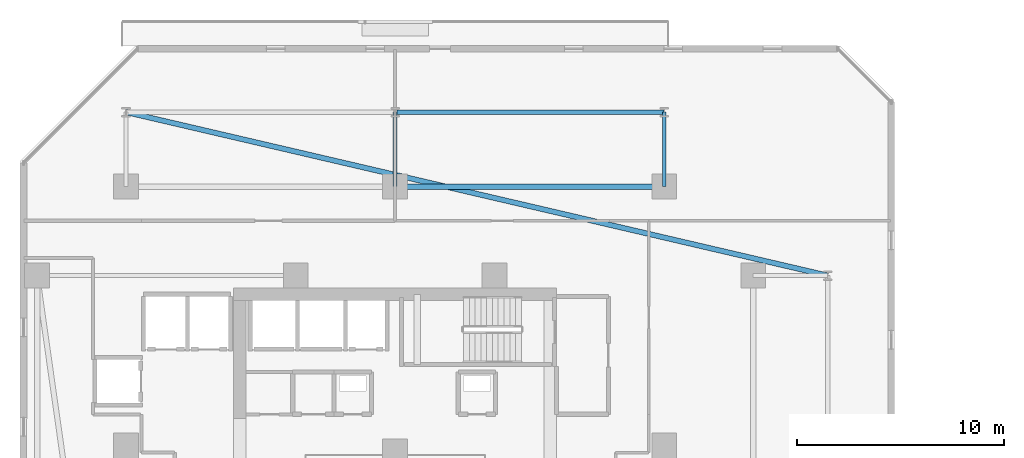
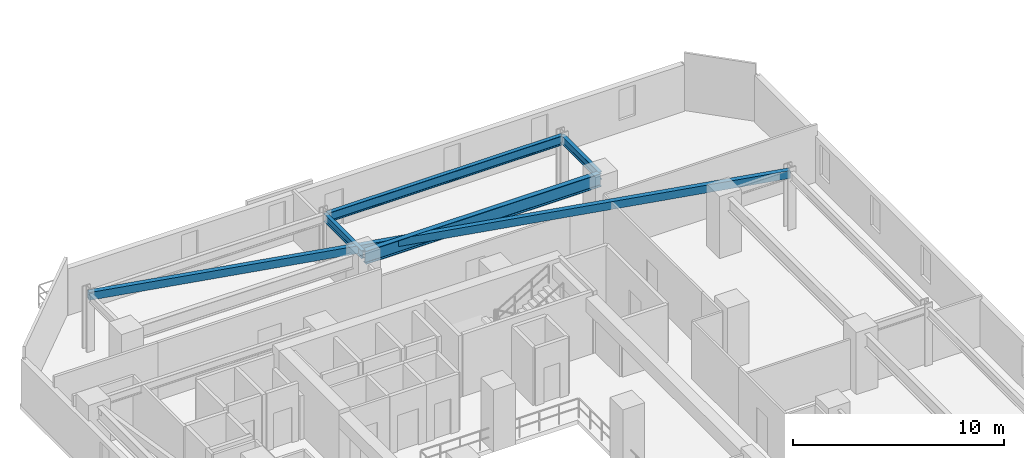
# One storey, part 9 of 29: 5 beams.
"""IFC4 building model written with IfcOpenShell, lengths in metres."""

from ifc_helpers import new_model, si_unit, direction, frame, origin, origin_2d, place, context, subcontext, project, spatial, hollow_rectangle, i_section, extrude, material, material_profile, profile_set, type_object, element, save


model = new_model("IFC4")

# Units and contexts
model_context = context("Model", 3, precision=1e-05, world=origin(), true_north=direction((0.0, 1.0)))
body_context = subcontext(model_context, "Body", "Model", "MODEL_VIEW")
ifc_project = project(units=[si_unit("LENGTHUNIT", "METRE"), si_unit("AREAUNIT", "SQUARE_METRE"), si_unit("VOLUMEUNIT", "CUBIC_METRE"), si_unit("PLANEANGLEUNIT", "RADIAN"), si_unit("MASSUNIT", "GRAM", prefix="KILO")], contexts=[model_context])

# Site, building, storey
site_placement = place(None, origin())
site = spatial("IfcSite", under=ifc_project, at=site_placement, CompositionType="ELEMENT")
building_placement = place(site_placement, origin())
building = spatial("IfcBuilding", under=site, at=building_placement, Name="Thornwick Lancets Civic Towers", CompositionType="ELEMENT")
storey_placement = place(building_placement, frame((0.0, 0.0, 83.699951171875)))
storey = spatial("IfcBuildingStorey", under=building, at=storey_placement, Name="L21", CompositionType="ELEMENT", Elevation=83.699951171875)

# Beams
ifc_material = material(Name="Steel S355JR", Category="steel")
ifc_material_profile_1 = material_profile(ifc_material, i_section(OverallWidth=0.2119140625, OverallDepth=0.54443359375, WebThickness=0.0126953125, FlangeThickness=0.021240234375, FilletRadius=0.0126953125, at=origin_2d()), Name="UKB 533x210x122")
ifc_profile_set_1 = profile_set([ifc_material_profile_1], Name="Steel S355JR")
beam_type_1 = type_object("IfcBeamType", Name="BM_EDGE_533_122", PredefinedType="SPANDREL", material=ifc_profile_set_1)
beam_1_placement = place(storey_placement, frame((25.580078125, 47.89990234375, 3.087890625), z_axis=(1.0, 0.0, 0.0), x_axis=(0.0, 1.0, 0.0)))
element("IfcBeam", 1, at=beam_1_placement, inside=storey, type_object=beam_type_1, Name="BM-EDGE-L21-A-S2-2", PredefinedType="SPANDREL", context=body_context, shape_type="SweptSolid", body=[
    extrude(i_section(OverallWidth=0.2119140625, OverallDepth=0.54443359375, WebThickness=0.0126953125, FlangeThickness=0.021240234375, FilletRadius=0.0126953125, at=origin_2d()), origin(), (0.0, 0.0, 1.0), 12.919921875),
])
ifc_material_profile_2 = material_profile(ifc_material, i_section(OverallWidth=0.26806640625, OverallDepth=0.769775390625, WebThickness=0.015625, FlangeThickness=0.025390625, FilletRadius=0.0166015625, at=origin_2d()), Name="UKB 762x267x197")
ifc_profile_set_2 = profile_set([ifc_material_profile_2], Name="Steel S355JR")
beam_type_2 = type_object("IfcBeamType", Name="BM_GIRD_762_197", PredefinedType="BEAM", material=ifc_profile_set_2)
beam_2_placement = place(storey_placement, frame((25.580078125, 44.300048828125, 2.97509765625), z_axis=(1.0, 0.0, 0.0), x_axis=(0.0, 1.0, 0.0)))
element("IfcBeam", 2, at=beam_2_placement, inside=storey, type_object=beam_type_2, Name="BM-SPINE-L21-A-7-8", PredefinedType="BEAM", context=body_context, shape_type="SweptSolid", body=[
    extrude(i_section(OverallWidth=0.26806640625, OverallDepth=0.769775390625, WebThickness=0.015625, FlangeThickness=0.025390625, FilletRadius=0.0166015625, at=origin_2d()), origin(), (0.0, 0.0, 1.0), 12.919921875),
])
ifc_material_profile_3 = material_profile(ifc_material, i_section(OverallWidth=0.19189453125, OverallDepth=0.46337890625, WebThickness=0.010498046875, FlangeThickness=0.017578125, FilletRadius=0.01025390625, at=origin_2d()), Name="UKB 457x191x89")
ifc_profile_set_3 = profile_set([ifc_material_profile_3], Name="Steel S355JR")
beam_type_3 = type_object("IfcBeamType", Name="BM_JOIST_457_89", PredefinedType="JOIST", material=ifc_profile_set_3)
for number, where, z_axis, x_axis, name in (
    (3, (25.5, 44.300048828125, 3.12841796875), (0.0, 1.0, 0.0), (-1.0, 0.0, 0.0), "BM-RAD-L21-A08"),
    (4, (38.5, 44.300048828125, 3.12841796875), (0.0, 1.0, 0.0), (-1.0, 0.0, 0.0), "BM-RAD-L21-A09"),
):
    element("IfcBeam", number, at=place(storey_placement, frame(where, z_axis=z_axis, x_axis=x_axis)), inside=storey, type_object=beam_type_3, Name=name, PredefinedType="JOIST", context=body_context, shape_type="SweptSolid", body=[
        extrude(i_section(OverallWidth=0.19189453125, OverallDepth=0.46337890625, WebThickness=0.010498046875, FlangeThickness=0.017578125, FilletRadius=0.01025390625, at=origin_2d()), origin(), (0.0, 0.0, 1.0), 3.599853515625),
    ])
ifc_material_profile_4 = material_profile(ifc_material, hollow_rectangle(XDim=0.25, YDim=0.449951171875, WallThickness=0.01611328125, at=origin_2d()), Name="RHS 450x250x16")
ifc_profile_set_4 = profile_set([ifc_material_profile_4], Name="Steel S355JR")
beam_type_4 = type_object("IfcBeamType", Name="BM_RING_RHS450", PredefinedType="BEAM", material=ifc_profile_set_4)
beam_3_placement = place(storey_placement, frame((46.39990234375, 40.0, 3.135009765625), z_axis=(-0.973905219823, 0.226955111866, 0.0), x_axis=(-0.226955111866, -0.973905219823, 0.0)))
element("IfcBeam", 5, at=beam_3_placement, inside=storey, type_object=beam_type_4, Name="BM-CHAMF-L21-A-C1", PredefinedType="BEAM", context=body_context, shape_type="SweptSolid", body=[
    extrude(hollow_rectangle(XDim=0.25, YDim=0.449951171875, WallThickness=0.01611328125, at=origin_2d()), origin(), (0.0, 0.0, 1.0), 34.80810546875),
])

save(model, "model.ifc")
